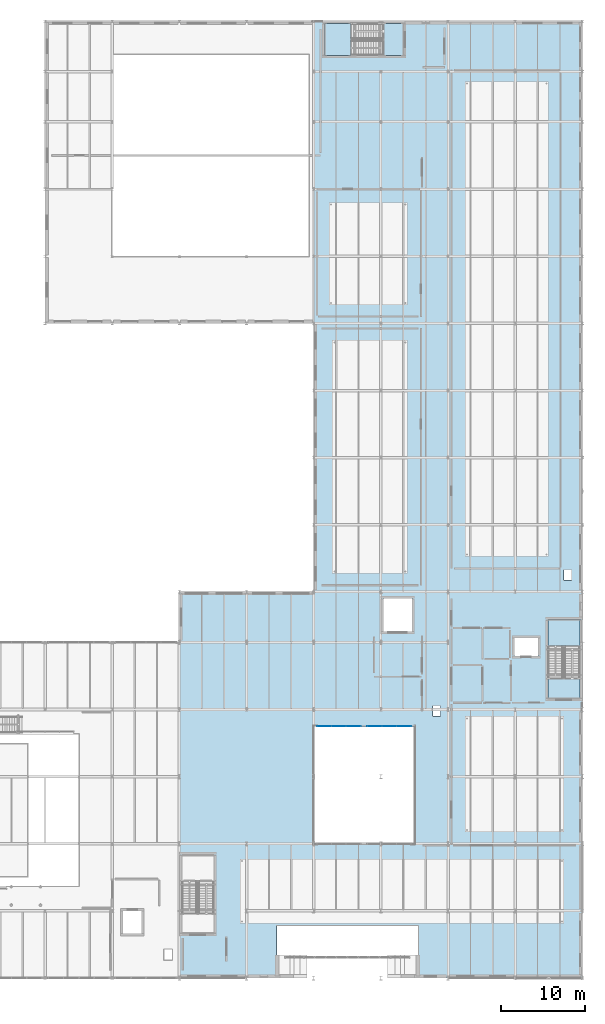
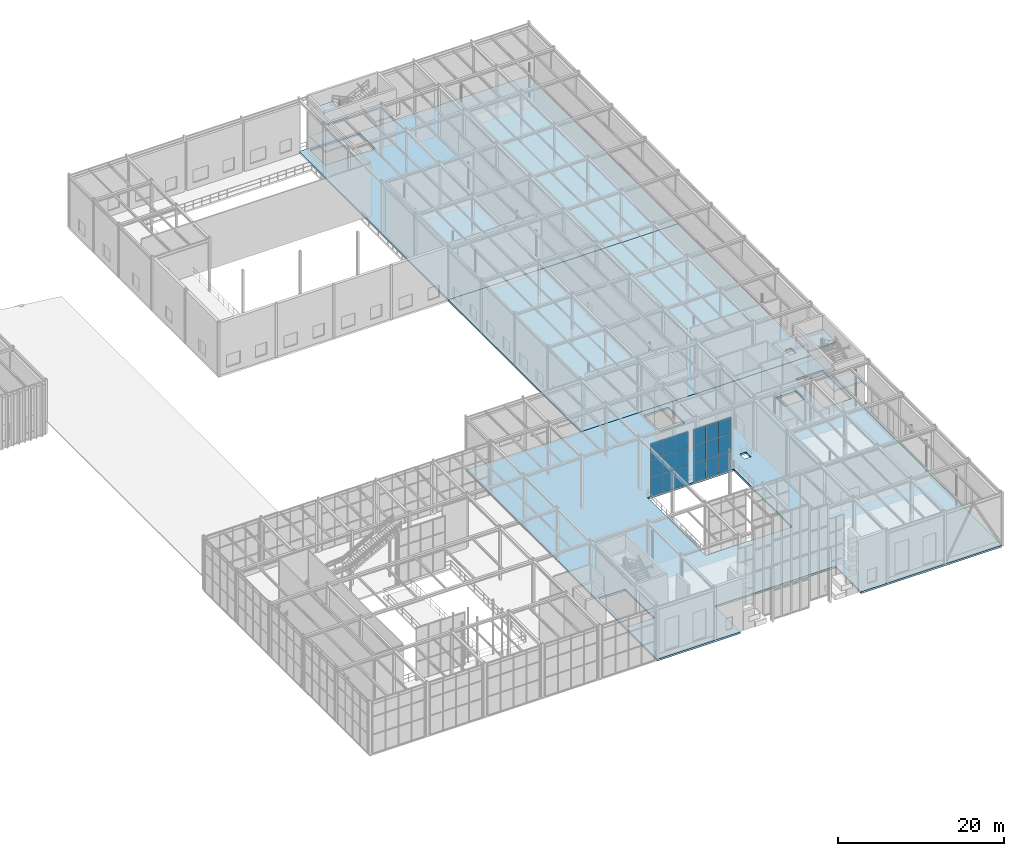
# One storey, part 80 of 138: 18 plates, 9 slabs, 4 elements without a shape of their own.
"""IFC4 building model written with IfcOpenShell, lengths in metres."""

from ifc_helpers import new_model, si_unit, direction, frame, origin, origin_2d, place, context, subcontext, project, spatial, polyline, rectangle, outline, extrude, material, layer, layer_set, type_object, element, aggregate, save


model = new_model("IFC4")

# Units and contexts
model_context = context("Model", 3, precision=1e-05, world=origin(), true_north=direction((0.0, 1.0)))
body_context = subcontext(model_context, "Body", "Model", "MODEL_VIEW")
ifc_project = project(units=[si_unit("LENGTHUNIT", "METRE"), si_unit("AREAUNIT", "SQUARE_METRE"), si_unit("VOLUMEUNIT", "CUBIC_METRE"), si_unit("PLANEANGLEUNIT", "RADIAN"), si_unit("MASSUNIT", "GRAM", prefix="KILO")], contexts=[model_context])

# Site, building, storey
site_placement = place(None, origin())
site = spatial("IfcSite", under=ifc_project, at=site_placement, CompositionType="ELEMENT")
building_placement = place(site_placement, origin())
building = spatial("IfcBuilding", under=site, at=building_placement, Name="Sundkrona Museum", CompositionType="ELEMENT")
storey_placement = place(building_placement, frame((0.0, 0.0, 9.60009765625)))
storey = spatial("IfcBuildingStorey", under=building, at=storey_placement, Name="L02", CompositionType="ELEMENT", Elevation=9.60009765625)

# Curtain wall, plates
ifc_material_1 = material(Name="Unitised Aluminium-Steel and Ceramic-Clad Curtain Walling", Category="steel")
curtain_wall_type = type_object("IfcCurtainWallType", Name="CW-SC-52x74", PredefinedType="NOTDEFINED", material=ifc_material_1)
curtain_wall_1_placement = place(storey_placement, origin())
curtain_wall_1 = element("IfcCurtainWall", 1, at=curtain_wall_1_placement, inside=storey, type_object=curtain_wall_type, Name="L02 Curtain Wall CW-L02-006", PredefinedType="NOTDEFINED")
ifc_material_2 = material(Name="Triple Low-E Vision Glazing 32 mm", Category="glass")
ifc_layer_1 = layer(ifc_material_2, 0.031982421875)
ifc_layer_set_1 = layer_set([ifc_layer_1], Name="Triple Low-E Vision Glazing 32 mm")
plate_type = type_object("IfcPlateType", Name="PN-GL-01", PredefinedType="CURTAIN_PANEL", material=ifc_layer_set_1)
plate_1_placement = place(storey_placement, frame((137.2666015625, 30.0, -0.00390625), z_axis=(0.0, 0.0, 1.0), x_axis=(1.0, 0.0, 0.0)))
plate_1 = element("IfcPlate", 2, at=plate_1_placement, type_object=plate_type, Name="CW-L02-006 Panel 01", PredefinedType="CURTAIN_PANEL", context=body_context, shape_type="SweptSolid", body=[
    extrude(rectangle(XDim=1.7333984375, YDim=0.031982421875, at=origin_2d()), origin(), (0.0, 0.0, 1.0), 2.798095703125),
])
plate_2_placement = place(storey_placement, frame((137.2666015625, 30.0, 2.7939453125), z_axis=(0.0, 0.0, 1.0), x_axis=(1.0, 0.0, 0.0)))
plate_2 = element("IfcPlate", 3, at=plate_2_placement, type_object=plate_type, Name="CW-L02-006 Panel 02", PredefinedType="CURTAIN_PANEL", context=body_context, shape_type="SweptSolid", body=[
    extrude(rectangle(XDim=1.7333984375, YDim=0.031982421875, at=origin_2d()), origin(), (0.0, 0.0, 1.0), 2.637939453125),
])
plate_3_placement = place(storey_placement, frame((137.2666015625, 30.0, 5.431884765625), z_axis=(0.0, 0.0, 1.0), x_axis=(1.0, 0.0, 0.0)))
plate_3 = element("IfcPlate", 4, at=plate_3_placement, type_object=plate_type, Name="CW-L02-006 Panel 03", PredefinedType="CURTAIN_PANEL", context=body_context, shape_type="SweptSolid", body=[
    extrude(rectangle(XDim=1.7333984375, YDim=0.031982421875, at=origin_2d()), origin(), (0.0, 0.0, 1.0), 2.33203125),
])
plate_4_placement = place(storey_placement, frame((139.0, 30.0, -0.00390625), z_axis=(0.0, 0.0, 1.0), x_axis=(1.0, 0.0, 0.0)))
plate_4 = element("IfcPlate", 5, at=plate_4_placement, type_object=plate_type, Name="CW-L02-006 Panel 04", PredefinedType="CURTAIN_PANEL", context=body_context, shape_type="SweptSolid", body=[
    extrude(rectangle(XDim=1.7333984375, YDim=0.031982421875, at=origin_2d()), origin(), (0.0, 0.0, 1.0), 2.798095703125),
])
plate_5_placement = place(storey_placement, frame((139.0, 30.0, 2.7939453125), z_axis=(0.0, 0.0, 1.0), x_axis=(1.0, 0.0, 0.0)))
plate_5 = element("IfcPlate", 6, at=plate_5_placement, type_object=plate_type, Name="CW-L02-006 Panel 05", PredefinedType="CURTAIN_PANEL", context=body_context, shape_type="SweptSolid", body=[
    extrude(rectangle(XDim=1.7333984375, YDim=0.031982421875, at=origin_2d()), origin(), (0.0, 0.0, 1.0), 2.637939453125),
])
plate_6_placement = place(storey_placement, frame((139.0, 30.0, 5.431884765625), z_axis=(0.0, 0.0, 1.0), x_axis=(1.0, 0.0, 0.0)))
plate_6 = element("IfcPlate", 7, at=plate_6_placement, type_object=plate_type, Name="CW-L02-006 Panel 06", PredefinedType="CURTAIN_PANEL", context=body_context, shape_type="SweptSolid", body=[
    extrude(rectangle(XDim=1.7333984375, YDim=0.031982421875, at=origin_2d()), origin(), (0.0, 0.0, 1.0), 2.33203125),
])
plate_7_placement = place(storey_placement, frame((140.7333984375, 30.0, -0.00390625), z_axis=(0.0, 0.0, 1.0), x_axis=(1.0, 0.0, 0.0)))
plate_7 = element("IfcPlate", 8, at=plate_7_placement, type_object=plate_type, Name="CW-L02-006 Panel 07", PredefinedType="CURTAIN_PANEL", context=body_context, shape_type="SweptSolid", body=[
    extrude(rectangle(XDim=1.7333984375, YDim=0.031982421875, at=origin_2d()), origin(), (0.0, 0.0, 1.0), 2.798095703125),
])
plate_8_placement = place(storey_placement, frame((140.7333984375, 30.0, 2.7939453125), z_axis=(0.0, 0.0, 1.0), x_axis=(1.0, 0.0, 0.0)))
plate_8 = element("IfcPlate", 9, at=plate_8_placement, type_object=plate_type, Name="CW-L02-006 Panel 08", PredefinedType="CURTAIN_PANEL", context=body_context, shape_type="SweptSolid", body=[
    extrude(rectangle(XDim=1.7333984375, YDim=0.031982421875, at=origin_2d()), origin(), (0.0, 0.0, 1.0), 2.637939453125),
])
plate_9_placement = place(storey_placement, frame((140.7333984375, 30.0, 5.431884765625), z_axis=(0.0, 0.0, 1.0), x_axis=(1.0, 0.0, 0.0)))
plate_9 = element("IfcPlate", 10, at=plate_9_placement, type_object=plate_type, Name="CW-L02-006 Panel 09", PredefinedType="CURTAIN_PANEL", context=body_context, shape_type="SweptSolid", body=[
    extrude(rectangle(XDim=1.7333984375, YDim=0.031982421875, at=origin_2d()), origin(), (0.0, 0.0, 1.0), 2.33203125),
])
aggregate(curtain_wall_1, [plate_1, plate_2, plate_3, plate_4, plate_5, plate_6, plate_7, plate_8, plate_9])

curtain_wall_2_placement = place(storey_placement, origin())
curtain_wall_2 = element("IfcCurtainWall", 11, at=curtain_wall_2_placement, inside=storey, type_object=curtain_wall_type, Name="L02 Curtain Wall CW-L02-008", PredefinedType="NOTDEFINED")
plate_10_placement = place(storey_placement, frame((143.2666015625, 30.0, -0.00390625), z_axis=(0.0, 0.0, 1.0), x_axis=(1.0, 0.0, 0.0)))
plate_10 = element("IfcPlate", 12, at=plate_10_placement, type_object=plate_type, Name="CW-L02-008 Panel 01", PredefinedType="CURTAIN_PANEL", context=body_context, shape_type="SweptSolid", body=[
    extrude(rectangle(XDim=1.7333984375, YDim=0.031982421875, at=origin_2d()), origin(), (0.0, 0.0, 1.0), 2.798095703125),
])
plate_11_placement = place(storey_placement, frame((143.2666015625, 30.0, 2.7939453125), z_axis=(0.0, 0.0, 1.0), x_axis=(1.0, 0.0, 0.0)))
plate_11 = element("IfcPlate", 13, at=plate_11_placement, type_object=plate_type, Name="CW-L02-008 Panel 02", PredefinedType="CURTAIN_PANEL", context=body_context, shape_type="SweptSolid", body=[
    extrude(rectangle(XDim=1.7333984375, YDim=0.031982421875, at=origin_2d()), origin(), (0.0, 0.0, 1.0), 2.637939453125),
])
plate_12_placement = place(storey_placement, frame((143.2666015625, 30.0, 5.431884765625), z_axis=(0.0, 0.0, 1.0), x_axis=(1.0, 0.0, 0.0)))
plate_12 = element("IfcPlate", 14, at=plate_12_placement, type_object=plate_type, Name="CW-L02-008 Panel 03", PredefinedType="CURTAIN_PANEL", context=body_context, shape_type="SweptSolid", body=[
    extrude(rectangle(XDim=1.7333984375, YDim=0.031982421875, at=origin_2d()), origin(), (0.0, 0.0, 1.0), 2.33203125),
])
plate_13_placement = place(storey_placement, frame((145.0, 30.0, -0.00390625), z_axis=(0.0, 0.0, 1.0), x_axis=(1.0, 0.0, 0.0)))
plate_13 = element("IfcPlate", 15, at=plate_13_placement, type_object=plate_type, Name="CW-L02-008 Panel 04", PredefinedType="CURTAIN_PANEL", context=body_context, shape_type="SweptSolid", body=[
    extrude(rectangle(XDim=1.7333984375, YDim=0.031982421875, at=origin_2d()), origin(), (0.0, 0.0, 1.0), 2.798095703125),
])
plate_14_placement = place(storey_placement, frame((145.0, 30.0, 2.7939453125), z_axis=(0.0, 0.0, 1.0), x_axis=(1.0, 0.0, 0.0)))
plate_14 = element("IfcPlate", 16, at=plate_14_placement, type_object=plate_type, Name="CW-L02-008 Panel 05", PredefinedType="CURTAIN_PANEL", context=body_context, shape_type="SweptSolid", body=[
    extrude(rectangle(XDim=1.7333984375, YDim=0.031982421875, at=origin_2d()), origin(), (0.0, 0.0, 1.0), 2.637939453125),
])
plate_15_placement = place(storey_placement, frame((145.0, 30.0, 5.431884765625), z_axis=(0.0, 0.0, 1.0), x_axis=(1.0, 0.0, 0.0)))
plate_15 = element("IfcPlate", 17, at=plate_15_placement, type_object=plate_type, Name="CW-L02-008 Panel 06", PredefinedType="CURTAIN_PANEL", context=body_context, shape_type="SweptSolid", body=[
    extrude(rectangle(XDim=1.7333984375, YDim=0.031982421875, at=origin_2d()), origin(), (0.0, 0.0, 1.0), 2.33203125),
])
plate_16_placement = place(storey_placement, frame((146.7333984375, 30.0, -0.00390625), z_axis=(0.0, 0.0, 1.0), x_axis=(1.0, 0.0, 0.0)))
plate_16 = element("IfcPlate", 18, at=plate_16_placement, type_object=plate_type, Name="CW-L02-008 Panel 07", PredefinedType="CURTAIN_PANEL", context=body_context, shape_type="SweptSolid", body=[
    extrude(rectangle(XDim=1.7333984375, YDim=0.031982421875, at=origin_2d()), origin(), (0.0, 0.0, 1.0), 2.798095703125),
])
plate_17_placement = place(storey_placement, frame((146.7333984375, 30.0, 2.7939453125), z_axis=(0.0, 0.0, 1.0), x_axis=(1.0, 0.0, 0.0)))
plate_17 = element("IfcPlate", 19, at=plate_17_placement, type_object=plate_type, Name="CW-L02-008 Panel 08", PredefinedType="CURTAIN_PANEL", context=body_context, shape_type="SweptSolid", body=[
    extrude(rectangle(XDim=1.7333984375, YDim=0.031982421875, at=origin_2d()), origin(), (0.0, 0.0, 1.0), 2.637939453125),
])
plate_18_placement = place(storey_placement, frame((146.7333984375, 30.0, 5.431884765625), z_axis=(0.0, 0.0, 1.0), x_axis=(1.0, 0.0, 0.0)))
plate_18 = element("IfcPlate", 20, at=plate_18_placement, type_object=plate_type, Name="CW-L02-008 Panel 09", PredefinedType="CURTAIN_PANEL", context=body_context, shape_type="SweptSolid", body=[
    extrude(rectangle(XDim=1.7333984375, YDim=0.031982421875, at=origin_2d()), origin(), (0.0, 0.0, 1.0), 2.33203125),
])
aggregate(curtain_wall_2, [plate_10, plate_11, plate_12, plate_13, plate_14, plate_15, plate_16, plate_17, plate_18])

# Slabs
ifc_material_3 = material(Name="Concrete C35/45", Category="concrete")
ifc_layer_2 = layer(ifc_material_3, 0.260009765625)
ifc_layer_set_2 = layer_set([ifc_layer_2], Name="Concrete C35/45")
slab_type_1 = type_object("IfcSlabType", Name="SL-FL-260", PredefinedType="FLOOR", material=ifc_layer_set_2)
slab_1_placement = place(storey_placement, frame((0.0, 0.0, -0.260009765625)))
element("IfcSlab", 21, at=slab_1_placement, inside=storey, type_object=slab_type_1, Name="L02 Atrium and education composite floor slab 260 mm (SL-L02-V5E)", PredefinedType="FLOOR", context=body_context, shape_type="SweptSolid", body=[
    extrude(outline(polyline([(136.0, 78.0), (168.0, 78.0), (168.0, 114.0), (136.0, 114.0), (136.0, 78.0)]), holes=[polyline([(137.324951171875, 113.675048828125), (144.27490234375, 113.675048828125), (144.27490234375, 109.925048828125), (137.324951171875, 109.925048828125), (137.324951171875, 113.675048828125)])]), origin(), (0.0, 0.0, 1.0), 0.260009765625),
])
slab_2_placement = place(storey_placement, frame((0.0, 0.0, -0.260009765625)))
element("IfcSlab", 22, at=slab_2_placement, inside=storey, type_object=slab_type_1, Name="L02 Atrium and education composite floor slab 260 mm (SL-L02-V5L)", PredefinedType="FLOOR", context=body_context, shape_type="SweptSolid", body=[
    extrude(outline(polyline([(136.0, 46.0), (168.0, 46.0), (168.0, 78.0), (136.0, 78.0), (136.0, 46.0)]), holes=[polyline([(166.699951171875, 47.39990234375), (165.800048828125, 47.39990234375), (165.800048828125, 48.60009765625), (166.699951171875, 48.60009765625), (166.699951171875, 47.39990234375)])]), origin(), (0.0, 0.0, 1.0), 0.260009765625),
])
ifc_layer_3 = layer(ifc_material_3, 0.280029296875)
ifc_layer_set_3 = layer_set([ifc_layer_3], Name="Concrete C35/45")
slab_type_2 = type_object("IfcSlabType", Name="SL-FL-280", PredefinedType="FLOOR", material=ifc_layer_set_3)
slab_3_placement = place(storey_placement, frame((0.0, 0.0, -0.280029296875)))
element("IfcSlab", 23, at=slab_3_placement, inside=storey, type_object=slab_type_2, Name="L02 Heavy paleontology hall composite floor slab 280 mm (SL-L02-V1)", PredefinedType="FLOOR", context=body_context, shape_type="SweptSolid", body=[
    extrude(outline(polyline([(120.0, 0.0), (131.60009765625, 0.0), (131.60009765625, 6.199951171875), (148.39990234375, 6.199951171875), (148.39990234375, 0.0), (168.0, 0.0), (168.0, 46.0), (120.0, 46.0), (120.0, 0.0)]), holes=[polyline([(167.675048828125, 42.675048828125), (167.675048828125, 35.72509765625), (163.925048828125, 35.72509765625), (163.925048828125, 42.675048828125), (167.675048828125, 42.675048828125)]), polyline([(159.89990234375, 40.5), (162.699951171875, 40.5), (162.699951171875, 38.39990234375), (159.89990234375, 38.39990234375), (159.89990234375, 40.5)]), polyline([(150.199951171875, 32.39990234375), (151.10009765625, 32.39990234375), (151.10009765625, 31.199951171875), (150.199951171875, 31.199951171875), (150.199951171875, 32.39990234375)]), polyline([(136.0, 30.0), (148.0, 30.0), (148.0, 16.0), (136.0, 16.0), (136.0, 30.0)]), polyline([(144.300048828125, 45.199951171875), (147.699951171875, 45.199951171875), (147.699951171875, 41.300048828125), (144.300048828125, 41.300048828125), (144.300048828125, 45.199951171875)]), polyline([(124.074951171875, 14.675048828125), (124.074951171875, 7.72509765625), (120.324951171875, 7.72509765625), (120.324951171875, 14.675048828125), (124.074951171875, 14.675048828125)])]), origin(), (0.0, 0.0, 1.0), 0.280029296875),
])

# Stair, slabs
stair_type = type_object("IfcStairType", Name="ST-DL-800", PredefinedType="HALF_TURN_STAIR", material=ifc_material_3)
stair_1_placement = place(storey_placement, origin())
stair_1 = element("IfcStair", 24, at=stair_1_placement, inside=storey, type_object=stair_type, Name="L02 Protected Stair Core ST-1", PredefinedType="HALF_TURN_STAIR")
ifc_layer_4 = layer(ifc_material_3, 0.219970703125)
ifc_layer_set_4 = layer_set([ifc_layer_4], Name="Concrete C35/45")
slab_type_3 = type_object("IfcSlabType", Name="SL-LN-220", PredefinedType="LANDING", material=ifc_layer_set_4)
slab_4_placement = place(storey_placement, frame((0.0, 0.0, 1.77978515625)))
slab_4 = element("IfcSlab", 25, at=slab_4_placement, type_object=slab_type_3, Name="L02 Protected Stair Core ST-1 Landing 1", PredefinedType="LANDING", context=body_context, shape_type="SweptSolid", body=[
    extrude(outline(polyline([(167.699951171875, 39.534912109375), (167.699951171875, 42.699951171875), (163.89990234375, 42.699951171875), (163.89990234375, 39.534912109375), (167.699951171875, 39.534912109375)])), origin(), (0.0, 0.0, 1.0), 0.22021484375),
])
slab_5_placement = place(storey_placement, frame((0.0, 0.0, 3.77978515625)))
slab_5 = element("IfcSlab", 26, at=slab_5_placement, type_object=slab_type_3, Name="L02 Protected Stair Core ST-1 Landing 2", PredefinedType="LANDING", context=body_context, shape_type="SweptSolid", body=[
    extrude(outline(polyline([(167.699951171875, 33.300048828125), (167.699951171875, 35.699951171875), (163.89990234375, 35.699951171875), (163.89990234375, 33.300048828125), (167.699951171875, 33.300048828125)])), origin(), (0.0, 0.0, 1.0), 0.22021484375),
])
slab_6_placement = place(storey_placement, frame((0.0, 0.0, 5.77978515625)))
slab_6 = element("IfcSlab", 27, at=slab_6_placement, type_object=slab_type_3, Name="L02 Protected Stair Core ST-1 Landing 3", PredefinedType="LANDING", context=body_context, shape_type="SweptSolid", body=[
    extrude(outline(polyline([(167.699951171875, 39.534912109375), (167.699951171875, 42.699951171875), (163.89990234375, 42.699951171875), (163.89990234375, 39.534912109375), (167.699951171875, 39.534912109375)])), origin(), (0.0, 0.0, 1.0), 0.22021484375),
])
aggregate(stair_1, [slab_4, slab_5, slab_6])

stair_2_placement = place(storey_placement, origin())
stair_2 = element("IfcStair", 28, at=stair_2_placement, inside=storey, type_object=stair_type, Name="L02 Protected Stair Core ST-5", PredefinedType="HALF_TURN_STAIR")
slab_7_placement = place(storey_placement, frame((0.0, 0.0, 1.77978515625)))
slab_7 = element("IfcSlab", 29, at=slab_7_placement, type_object=slab_type_3, Name="L02 Protected Stair Core ST-5 Landing 1", PredefinedType="LANDING", context=body_context, shape_type="SweptSolid", body=[
    extrude(outline(polyline([(140.465087890625, 113.699951171875), (137.300048828125, 113.699951171875), (137.300048828125, 109.89990234375), (140.465087890625, 109.89990234375), (140.465087890625, 113.699951171875)])), origin(), (0.0, 0.0, 1.0), 0.22021484375),
])
slab_8_placement = place(storey_placement, frame((0.0, 0.0, 3.77978515625)))
slab_8 = element("IfcSlab", 30, at=slab_8_placement, type_object=slab_type_3, Name="L02 Protected Stair Core ST-5 Landing 2", PredefinedType="LANDING", context=body_context, shape_type="SweptSolid", body=[
    extrude(outline(polyline([(146.699951171875, 113.699951171875), (144.300048828125, 113.699951171875), (144.300048828125, 109.89990234375), (146.699951171875, 109.89990234375), (146.699951171875, 113.699951171875)])), origin(), (0.0, 0.0, 1.0), 0.22021484375),
])
slab_9_placement = place(storey_placement, frame((0.0, 0.0, 5.77978515625)))
slab_9 = element("IfcSlab", 31, at=slab_9_placement, type_object=slab_type_3, Name="L02 Protected Stair Core ST-5 Landing 3", PredefinedType="LANDING", context=body_context, shape_type="SweptSolid", body=[
    extrude(outline(polyline([(140.465087890625, 113.699951171875), (137.300048828125, 113.699951171875), (137.300048828125, 109.89990234375), (140.465087890625, 109.89990234375), (140.465087890625, 113.699951171875)])), origin(), (0.0, 0.0, 1.0), 0.22021484375),
])
aggregate(stair_2, [slab_7, slab_8, slab_9])

save(model, "model.ifc")
